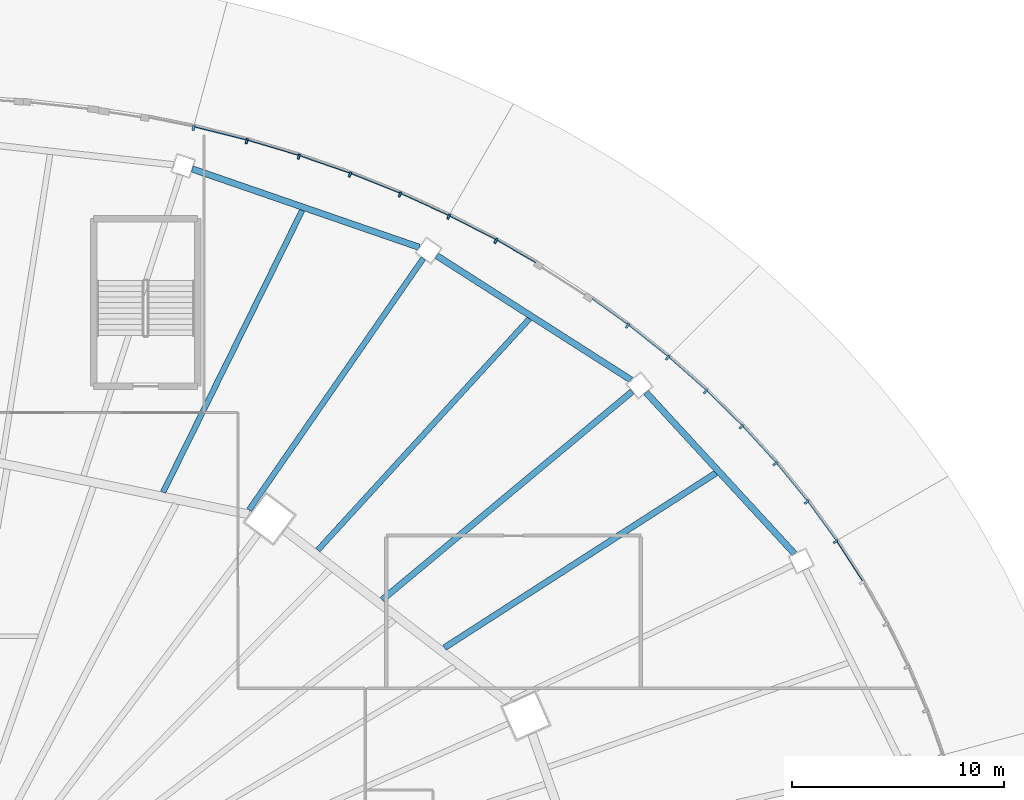
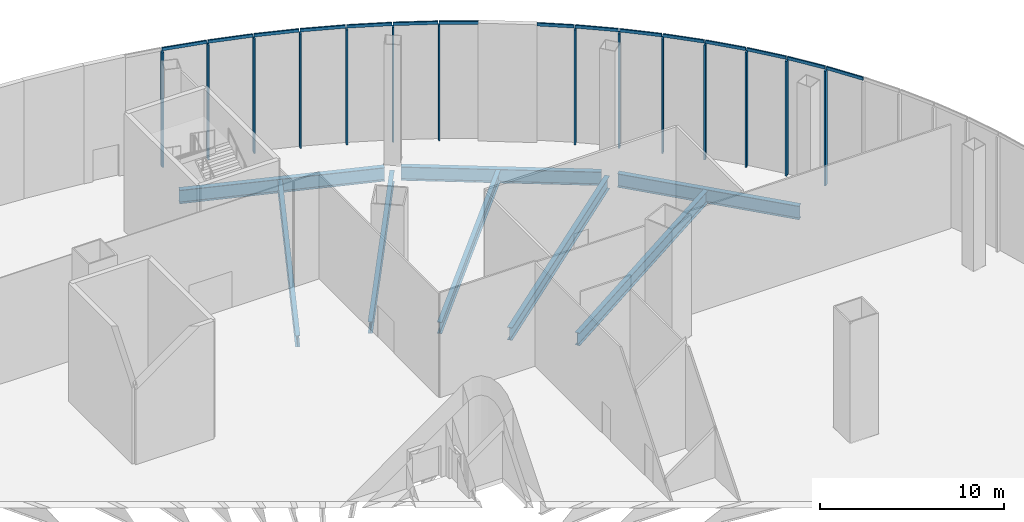
# One storey, part 10 of 36: 29 members, 8 beams, 6 elements without a shape of their own.
"""IFC4 building model written with IfcOpenShell, lengths in metres."""

import ifcopenshell
import ifcopenshell.guid

model = None  # the IFC model being written
_history = None  # IfcOwnerHistory: only IFC2X3 demands one
_inside = {}  # id of a spatial element -> (the spatial element, [elements in it])
_under = {}  # id of a project, library or spatial element -> (it, [spatial elements below it])
_declared = {}  # id of a project -> (the project, [libraries it declares])
_typed = {}  # id of a type object -> (the type object, [elements of that type])
_made_of = {}  # id of a material, layer set ... -> (it, [elements and type objects made of it])


def new_model(schema):
    """Start an empty IFC model of exactly this schema.

    Asked for "IFC4X3", IfcOpenShell would pick the latest addendum, in which some entities
    have other attributes; the version numbers below select the first issue.
    IFC2X3 requires an IfcOwnerHistory on every rooted entity: one is made here for all.
    """
    global model, _history
    if schema == "IFC4X3":
        model = ifcopenshell.file(schema_version=(4, 3, 0, 0))
    else:
        model = ifcopenshell.file(schema=schema)
    _inside.clear()
    _under.clear()
    _declared.clear()
    _typed.clear()
    _made_of.clear()
    _history = None
    if model.schema == "IFC2X3":
        org = make("IfcOrganization", Name="unknown")
        user = make(
            "IfcPersonAndOrganization",
            ThePerson=make("IfcPerson", FamilyName="unknown"),
            TheOrganization=org,
        )
        app = make(
            "IfcApplication",
            ApplicationDeveloper=org,
            Version="unknown",
            ApplicationFullName="unknown",
            ApplicationIdentifier="unknown",
        )
        _history = make(
            "IfcOwnerHistory",
            OwningUser=user,
            OwningApplication=app,
            ChangeAction="ADDED",
            CreationDate=0,
        )
    return model


def make(cls, **values):
    """One entity of the class cls with the attributes given. An attribute that is None is left unset."""
    return model.create_entity(
        cls, **{name: value for name, value in values.items() if value is not None}
    )


def rooted(cls, **values):
    """An entity with a GlobalId (a new one), such as an element, a storey or a relation."""
    return make(cls, GlobalId=ifcopenshell.guid.new(), OwnerHistory=_history, **values)


def si_unit(unit_type, name, prefix=None):
    """IfcSIUnit, for example si_unit("LENGTHUNIT", "METRE", prefix="MILLI")."""
    return make("IfcSIUnit", UnitType=unit_type, Prefix=prefix, Name=name)


def assignment(units):
    """IfcUnitAssignment: the units of a project."""
    return None if units is None else make("IfcUnitAssignment", Units=units)


def point(xyz):
    """IfcCartesianPoint."""
    return None if xyz is None else make("IfcCartesianPoint", Coordinates=xyz)


def direction(xyz):
    """IfcDirection."""
    return None if xyz is None else make("IfcDirection", DirectionRatios=xyz)


def frame(location, z_axis=None, x_axis=None):
    """IfcAxis2Placement3D, a coordinate frame: its origin and axes. An axis left out is left unset."""
    return make(
        "IfcAxis2Placement3D",
        Location=point(location),
        Axis=direction(z_axis),
        RefDirection=direction(x_axis),
    )


def frame_2d(location, x_axis=None):
    """IfcAxis2Placement2D, a coordinate frame in the plane: its origin and x axis."""
    return make(
        "IfcAxis2Placement2D", Location=point(location), RefDirection=direction(x_axis)
    )


def origin():
    """The frame at (0, 0, 0) with its axes left unset."""
    return frame((0.0, 0.0, 0.0))


def origin_2d():
    """The frame at (0, 0) in the plane with its x axis left unset."""
    return frame_2d((0.0, 0.0))


def place(relative_to, where):
    """IfcLocalPlacement: puts the frame where relative to a parent placement (None: the world)."""
    return make(
        "IfcLocalPlacement", PlacementRelTo=relative_to, RelativePlacement=where
    )


def context(
    kind, dimensions, precision=None, world=None, true_north=None, identifier=None
):
    """IfcGeometricRepresentationContext, for example the 3D "Model" context."""
    return make(
        "IfcGeometricRepresentationContext",
        ContextIdentifier=identifier,
        ContextType=kind,
        CoordinateSpaceDimension=dimensions,
        Precision=precision,
        WorldCoordinateSystem=world,
        TrueNorth=true_north,
    )


def subcontext(parent, identifier, kind, view, scale=None):
    """IfcGeometricRepresentationSubContext, for example "Body" below "Model"."""
    return make(
        "IfcGeometricRepresentationSubContext",
        ContextIdentifier=identifier,
        ContextType=kind,
        ParentContext=parent,
        TargetScale=scale,
        TargetView=view,
    )


def project(units=None, contexts=None):
    """IfcProject with its units and contexts."""
    return rooted(
        "IfcProject",
        Name="project",
        RepresentationContexts=contexts,
        UnitsInContext=assignment(units),
    )


def spatial(cls, under=None, at=None, **own):
    """A site, building, storey or space (cls), placed at a placement, below another one or the project."""
    s = rooted(cls, ObjectPlacement=at, **own)
    if under is not None:
        _under.setdefault(under.id(), (under, []))[1].append(s)
    return s


def profile(cls, at=None, kind="AREA", **sizes):
    """A parametric profile (cls). Its sizes go by their IFC names, for example OverallWidth=200.0."""
    return make(cls, ProfileType=kind, Position=at, **sizes)


def rectangle(**sizes):
    """IfcRectangleProfileDef."""
    return profile("IfcRectangleProfileDef", **sizes)


def i_section(**sizes):
    """IfcIShapeProfileDef."""
    return profile("IfcIShapeProfileDef", **sizes)


def extrude(swept, where, along, depth):
    """IfcExtrudedAreaSolid: the profile swept, set in the frame where, extruded along a direction by depth."""
    return make(
        "IfcExtrudedAreaSolid",
        SweptArea=swept,
        Position=where,
        ExtrudedDirection=direction(along),
        Depth=depth,
    )


def shape(context_of_items, identifier, shape_type, items):
    """IfcShapeRepresentation: the items that make up one representation, for example the "Body"."""
    return make(
        "IfcShapeRepresentation",
        ContextOfItems=context_of_items,
        RepresentationIdentifier=identifier,
        RepresentationType=shape_type,
        Items=items,
    )


def material(Name=None, Category=None):
    """IfcMaterial."""
    return make("IfcMaterial", Name=Name, Category=Category)


def layer(
    of_material, thickness, ventilated=None, Name=None, Category=None, Priority=None
):
    """IfcMaterialLayer: one layer of a wall or slab, of a material (None: an air gap)."""
    return make(
        "IfcMaterialLayer",
        Material=of_material,
        LayerThickness=thickness,
        IsVentilated=ventilated,
        Name=Name,
        Category=Category,
        Priority=Priority,
    )


def layer_set(layers, Name=None):
    """IfcMaterialLayerSet."""
    return make("IfcMaterialLayerSet", MaterialLayers=layers, LayerSetName=Name)


def material_profile(
    of_material, cross_section, Name=None, Category=None, Priority=None
):
    """IfcMaterialProfile: a cross section and its material."""
    return make(
        "IfcMaterialProfile",
        Name=Name,
        Material=of_material,
        Profile=cross_section,
        Priority=Priority,
        Category=Category,
    )


def profile_set(profiles, Name=None, composite=None):
    """IfcMaterialProfileSet."""
    return make(
        "IfcMaterialProfileSet",
        Name=Name,
        MaterialProfiles=profiles,
        CompositeProfile=composite,
    )


def made_of(thing, what):
    """Note that an element or type object is made of a material, layer set ...; save() writes the relation."""
    if what is not None:
        _made_of.setdefault(what.id(), (what, []))[1].append(thing)
    return thing


def type_object(cls, material=None, **own):
    """A type object (cls), such as IfcWallType, which elements share."""
    return made_of(rooted(cls, **own), material)


def element(
    cls,
    number,
    at=None,
    inside=None,
    cuts=None,
    type_object=None,
    material=None,
    context=None,
    identifier="Body",
    shape_type=None,
    held_by="IfcProductDefinitionShape",
    body=None,
    shapes=None,
    **own,
):
    """One element of the class cls, such as IfcWall. Its Tag is "e" and its number.

    at: its placement. inside: the storey or other place that contains it. cuts: it is an
    opening in that element (IfcRelVoidsElement). A single representation is given by context,
    identifier, shape_type and body (its items); several are given by shapes. held_by: the class
    of the entity that holds the representations. save() writes the other relations.
    """
    e = rooted(cls, Tag="e%d" % number, ObjectPlacement=at, **own)
    if body is not None:
        shapes = [shape(context, identifier, shape_type, body)]
    if shapes is not None:
        e.Representation = make(held_by, Representations=shapes)
    if inside is not None:
        _inside.setdefault(inside.id(), (inside, []))[1].append(e)
    if cuts is not None:
        rooted(
            "IfcRelVoidsElement", RelatingBuildingElement=cuts, RelatedOpeningElement=e
        )
    if type_object is not None:
        _typed.setdefault(type_object.id(), (type_object, []))[1].append(e)
    return made_of(e, material)


def aggregate(whole, parts):
    """IfcRelAggregates: a whole, such as a stair, and the parts it consists of."""
    return rooted("IfcRelAggregates", RelatingObject=whole, RelatedObjects=parts)


def save(model, path):
    """Write the relations noted so far, then the file.

    IfcRelAggregates (storeys below a building ...), IfcRelContainedInSpatialStructure (elements
    in a storey), IfcRelDefinesByType, IfcRelAssociatesMaterial and IfcRelDeclares: one each for
    every whole, place, type object, material and project.
    """
    for whole, parts in _under.values():
        aggregate(whole, parts)
    for where, things in _inside.values():
        rooted(
            "IfcRelContainedInSpatialStructure",
            RelatedElements=things,
            RelatingStructure=where,
        )
    for kind, things in _typed.values():
        rooted("IfcRelDefinesByType", RelatedObjects=things, RelatingType=kind)
    for what, things in _made_of.values():
        rooted("IfcRelAssociatesMaterial", RelatedObjects=things, RelatingMaterial=what)
    for by, libraries in _declared.values():
        rooted("IfcRelDeclares", RelatingContext=by, RelatedDefinitions=libraries)
    model.write(path)


model = new_model("IFC4")

# Units and contexts
model_context = context("Model", 3, precision=1e-05, world=origin(), true_north=direction((0.0, 1.0)))
body_context = subcontext(model_context, "Body", "Model", "MODEL_VIEW")
ifc_project = project(units=[si_unit("LENGTHUNIT", "METRE"), si_unit("AREAUNIT", "SQUARE_METRE"), si_unit("VOLUMEUNIT", "CUBIC_METRE"), si_unit("PLANEANGLEUNIT", "RADIAN"), si_unit("MASSUNIT", "GRAM", prefix="KILO")], contexts=[model_context])

# Site, building, storey
site_placement = place(None, origin())
site = spatial("IfcSite", under=ifc_project, at=site_placement, CompositionType="ELEMENT")
building_placement = place(site_placement, origin())
building = spatial("IfcBuilding", under=site, at=building_placement, Name="Sahrelin Media Tower", CompositionType="ELEMENT")
storey_placement = place(building_placement, origin())
storey = spatial("IfcBuildingStorey", under=building, at=storey_placement, Name="L00", CompositionType="ELEMENT", Elevation=0.0)

# Curtain wall, members
ifc_material_1 = material(Name="Champagne anodised aluminium 6063-T6", Category="aluminium")
ifc_layer_1 = layer(ifc_material_1, 0.14990234375)
ifc_layer_set_1 = layer_set([ifc_layer_1], Name="Concourse curtain wall")
curtain_wall_type_1 = type_object("IfcCurtainWallType", Name="Concourse curtain wall", PredefinedType="NOTDEFINED", material=ifc_layer_set_1)
curtain_wall_1_placement = place(storey_placement, frame((43.30126953125, 21.0, 0.0), z_axis=(0.0, 0.0, 1.0), x_axis=(1.0, 0.0, 0.0)))
curtain_wall_1 = element("IfcCurtainWall", 1, at=curtain_wall_1_placement, inside=storey, type_object=curtain_wall_type_1, Name="L00:CW:L00-P02", PredefinedType="NOTDEFINED")
ifc_material_profile_1 = material_profile(ifc_material_1, rectangle(XDim=0.10009765625, YDim=0.25, at=origin_2d()), Name="Mullion 100x250")
ifc_profile_set_1 = profile_set([ifc_material_profile_1], Name="Champagne anodised aluminium 6063-T6")
member_type_1 = type_object("IfcMemberType", Name="Mullion 100x250 CW4", PredefinedType="MULLION", material=ifc_profile_set_1)
member_1_placement = place(storey_placement, frame((43.18408203125, 20.91455078125, 0.0), z_axis=(0.0, 0.0, 1.0), x_axis=(-0.589385309161, 0.807852064022, 0.0)))
member_1 = element("IfcMember", 2, at=member_1_placement, type_object=member_type_1, Name="L00:CWM1:L00-P02", PredefinedType="MULLION", context=body_context, shape_type="SweptSolid", body=[
    extrude(rectangle(XDim=0.10009765625, YDim=0.25, at=origin_2d()), origin(), (0.0, 0.0, 1.0), 7.60009765625),
])
member_2_placement = place(storey_placement, frame((41.8212890625, 22.782958984375, 0.0), z_axis=(0.0, 0.0, 1.0), x_axis=(-0.633234995933, 0.77395958546, 0.0)))
member_2 = element("IfcMember", 3, at=member_2_placement, type_object=member_type_1, Name="L00:CWM2:L00-P02", PredefinedType="MULLION", context=body_context, shape_type="SweptSolid", body=[
    extrude(rectangle(XDim=0.10009765625, YDim=0.25, at=origin_2d()), origin(), (0.0, 0.0, 1.0), 7.60009765625),
])
member_3_placement = place(storey_placement, frame((40.34375, 24.589111328125, 0.0), z_axis=(0.0, 0.0, 1.0), x_axis=(-0.67442997344, 0.738338818514, 0.0)))
member_3 = element("IfcMember", 4, at=member_3_placement, type_object=member_type_1, Name="L00:CWM3:L00-P02", PredefinedType="MULLION", context=body_context, shape_type="SweptSolid", body=[
    extrude(rectangle(XDim=0.10009765625, YDim=0.25, at=origin_2d()), origin(), (0.0, 0.0, 1.0), 7.60009765625),
])
member_4_placement = place(storey_placement, frame((38.755615234375, 26.328125, 0.0), z_axis=(0.0, 0.0, 1.0), x_axis=(-0.712973923933, 0.70119054742, 0.0)))
member_4 = element("IfcMember", 5, at=member_4_placement, type_object=member_type_1, Name="L00:CWM4:L00-P02", PredefinedType="MULLION", context=body_context, shape_type="SweptSolid", body=[
    extrude(rectangle(XDim=0.10009765625, YDim=0.25, at=origin_2d()), origin(), (0.0, 0.0, 1.0), 7.60009765625),
])
member_5_placement = place(storey_placement, frame((37.06103515625, 27.994873046875, 0.0), z_axis=(0.0, 0.0, 1.0), x_axis=(-0.748788005735, 0.662809567272, 0.0)))
member_5 = element("IfcMember", 6, at=member_5_placement, type_object=member_type_1, Name="L00:CWM5:L00-P02", PredefinedType="MULLION", context=body_context, shape_type="SweptSolid", body=[
    extrude(rectangle(XDim=0.10009765625, YDim=0.25, at=origin_2d()), origin(), (0.0, 0.0, 1.0), 7.60009765625),
])

curtain_wall_2_placement = place(storey_placement, frame((35.355224609375, 29.698486328125, 0.0), z_axis=(0.0, 0.0, 1.0), x_axis=(1.0, 0.0, 0.0)))
curtain_wall_2 = element("IfcCurtainWall", 7, at=curtain_wall_2_placement, inside=storey, type_object=curtain_wall_type_1, Name="L00:CW:L00-P03", PredefinedType="NOTDEFINED")
member_6_placement = place(storey_placement, frame((35.264892578125, 29.585205078125, 0.0), z_axis=(0.0, 0.0, 1.0), x_axis=(-0.781960183728, 0.623328381405, 0.0)))
member_6 = element("IfcMember", 8, at=member_6_placement, type_object=member_type_1, Name="L00:CWM1:L00-P03", PredefinedType="MULLION", context=body_context, shape_type="SweptSolid", body=[
    extrude(rectangle(XDim=0.10009765625, YDim=0.25, at=origin_2d()), origin(), (0.0, 0.0, 1.0), 7.60009765625),
])
member_7_placement = place(storey_placement, frame((33.3720703125, 31.09423828125, 0.0), z_axis=(0.0, 0.0, 1.0), x_axis=(-0.812532432251, 0.582915985834, 0.0)))
member_7 = element("IfcMember", 9, at=member_7_placement, type_object=member_type_1, Name="L00:CWM2:L00-P03", PredefinedType="MULLION", context=body_context, shape_type="SweptSolid", body=[
    extrude(rectangle(XDim=0.10009765625, YDim=0.25, at=origin_2d()), origin(), (0.0, 0.0, 1.0), 7.60009765625),
])

# Curtain wall, member
curtain_wall_3_placement = place(storey_placement, frame((29.07568359375, 34.159912109375, 0.0), z_axis=(0.0, 0.0, 1.0), x_axis=(1.0, 0.0, 0.0)))
curtain_wall_3 = element("IfcCurtainWall", 10, at=curtain_wall_3_placement, inside=storey, type_object=curtain_wall_type_1, Name="L00:CW2:L00-P03", PredefinedType="NOTDEFINED")
member_8_placement = place(storey_placement, frame((27.16552734375, 35.09521484375, 0.0), z_axis=(0.0, 0.0, 1.0), x_axis=(-0.889123403251, 0.457667536309, 0.0)))
member_8 = element("IfcMember", 11, at=member_8_placement, type_object=member_type_1, Name="L00:CWM5:L00-P03", PredefinedType="MULLION", context=body_context, shape_type="SweptSolid", body=[
    extrude(rectangle(XDim=0.10009765625, YDim=0.25, at=origin_2d()), origin(), (0.0, 0.0, 1.0), 7.60009765625),
])

# Curtain wall, members
curtain_wall_4_placement = place(storey_placement, frame((25.0, 36.373046875, 0.0), z_axis=(0.0, 0.0, 1.0), x_axis=(1.0, 0.0, 0.0)))
curtain_wall_4 = element("IfcCurtainWall", 12, at=curtain_wall_4_placement, inside=storey, type_object=curtain_wall_type_1, Name="L00:CW:L00-P04", PredefinedType="NOTDEFINED")
member_9_placement = place(storey_placement, frame((24.939697265625, 36.2412109375, 0.0), z_axis=(0.0, 0.0, 1.0), x_axis=(-0.909841810065, 0.414955275491, 0.0)))
member_9 = element("IfcMember", 13, at=member_9_placement, type_object=member_type_1, Name="L00:CWM1:L00-P04", PredefinedType="MULLION", context=body_context, shape_type="SweptSolid", body=[
    extrude(rectangle(XDim=0.10009765625, YDim=0.25, at=origin_2d()), origin(), (0.0, 0.0, 1.0), 7.60009765625),
])
member_10_placement = place(storey_placement, frame((22.6455078125, 37.28759765625, 0.0), z_axis=(0.0, 0.0, 1.0), x_axis=(-0.928270482181, 0.371905783648, 0.0)))
member_10 = element("IfcMember", 14, at=member_10_placement, type_object=member_type_1, Name="L00:CWM2:L00-P04", PredefinedType="MULLION", context=body_context, shape_type="SweptSolid", body=[
    extrude(rectangle(XDim=0.10009765625, YDim=0.25, at=origin_2d()), origin(), (0.0, 0.0, 1.0), 7.60009765625),
])
member_11_placement = place(storey_placement, frame((20.2890625, 38.23193359375, 0.0), z_axis=(0.0, 0.0, 1.0), x_axis=(-0.944458420046, 0.328630937077, 0.0)))
member_11 = element("IfcMember", 15, at=member_11_placement, type_object=member_type_1, Name="L00:CWM3:L00-P04", PredefinedType="MULLION", context=body_context, shape_type="SweptSolid", body=[
    extrude(rectangle(XDim=0.10009765625, YDim=0.25, at=origin_2d()), origin(), (0.0, 0.0, 1.0), 7.60009765625),
])
member_12_placement = place(storey_placement, frame((17.877197265625, 39.0712890625, 0.0), z_axis=(0.0, 0.0, 1.0), x_axis=(-0.958494922328, 0.285109599754, 0.0)))
member_12 = element("IfcMember", 16, at=member_12_placement, type_object=member_type_1, Name="L00:CWM4:L00-P04", PredefinedType="MULLION", context=body_context, shape_type="SweptSolid", body=[
    extrude(rectangle(XDim=0.10009765625, YDim=0.25, at=origin_2d()), origin(), (0.0, 0.0, 1.0), 7.60009765625),
])
member_13_placement = place(storey_placement, frame((15.415771484375, 39.8037109375, 0.0), z_axis=(0.0, 0.0, 1.0), x_axis=(-0.970410464409, 0.241461240296, 0.0)))
member_13 = element("IfcMember", 17, at=member_13_placement, type_object=member_type_1, Name="L00:CWM5:L00-P04", PredefinedType="MULLION", context=body_context, shape_type="SweptSolid", body=[
    extrude(rectangle(XDim=0.10009765625, YDim=0.25, at=origin_2d()), origin(), (0.0, 0.0, 1.0), 7.60009765625),
])

# Curtain wall, member
ifc_layer_2 = layer(ifc_material_1, 0.14990234375)
ifc_layer_set_2 = layer_set([ifc_layer_2], Name="Entrance bay curtain wall")
curtain_wall_type_2 = type_object("IfcCurtainWallType", Name="Entrance bay curtain wall", PredefinedType="NOTDEFINED", material=ifc_layer_set_2)
curtain_wall_5_placement = place(storey_placement, frame((12.94091796875, 40.56884765625, 0.0), z_axis=(0.0, 0.0, 1.0), x_axis=(1.0, 0.0, 0.0)))
curtain_wall_5 = element("IfcCurtainWall", 18, at=curtain_wall_5_placement, inside=storey, type_object=curtain_wall_type_2, Name="L00:CW:L00-P05", PredefinedType="NOTDEFINED")
ifc_material_profile_2 = material_profile(ifc_material_1, rectangle(XDim=0.1201171875, YDim=0.25, at=origin_2d()), Name="Mullion 120x250")
ifc_profile_set_2 = profile_set([ifc_material_profile_2], Name="Champagne anodised aluminium 6063-T6")
member_type_2 = type_object("IfcMemberType", Name="Mullion 120x250 CW6", PredefinedType="MULLION", material=ifc_profile_set_2)
member_14_placement = place(storey_placement, frame((12.912353515625, 40.4267578125, 0.0), z_axis=(0.0, 0.0, 1.0), x_axis=(-0.980267034681, 0.197677871087, 0.0)))
member_14 = element("IfcMember", 19, at=member_14_placement, type_object=member_type_2, Name="L00:CWM1:L00-P05", PredefinedType="MULLION", context=body_context, shape_type="SweptSolid", body=[
    extrude(rectangle(XDim=0.1201171875, YDim=0.25, at=origin_2d()), origin(), (0.0, 0.0, 1.0), 7.60009765625),
])
aggregate(curtain_wall_5, [member_14])

# Beams
ifc_material_2 = material(Name="Steel S355", Category="steel")
ifc_material_profile_3 = material_profile(ifc_material_2, i_section(OverallWidth=0.30322265625, OverallDepth=0.903076171875, WebThickness=0.01513671875, FlangeThickness=0.020263671875, FilletRadius=0.01904296875, at=origin_2d()), Name="UB 914x305x201")
ifc_profile_set_3 = profile_set([ifc_material_profile_3], Name="Steel S355")
beam_type_1 = type_object("IfcBeamType", Name="Podium edge girder PE11", PredefinedType="BEAM", material=ifc_profile_set_3)
beam_1_placement = place(storey_placement, frame((41.25048828125, 20.34619140625, -0.75146484375), z_axis=(-0.677370529771, 0.735642008995, 0.0), x_axis=(-0.735642008995, -0.677370529771, 0.0)))
element("IfcBeam", 20, at=beam_1_placement, inside=storey, type_object=beam_type_1, Name="Podium edge girder L00-03", PredefinedType="BEAM", context=body_context, shape_type="SweptSolid", body=[
    extrude(i_section(OverallWidth=0.30322265625, OverallDepth=0.903076171875, WebThickness=0.01513671875, FlangeThickness=0.020263671875, FilletRadius=0.01904296875, at=origin_2d()), origin(), (0.0, 0.0, 1.0), 10.340087890625),
])
beam_2_placement = place(storey_placement, frame((33.54345703125, 28.53857421875, -0.75146484375), z_axis=(-0.842485743715, 0.538718638657, 0.0), x_axis=(-0.538718638657, -0.842485743715, 0.0)))
element("IfcBeam", 21, at=beam_2_placement, inside=storey, type_object=beam_type_1, Name="Podium edge girder L00-04", PredefinedType="BEAM", context=body_context, shape_type="SweptSolid", body=[
    extrude(i_section(OverallWidth=0.30322265625, OverallDepth=0.903076171875, WebThickness=0.01513671875, FlangeThickness=0.020263671875, FilletRadius=0.01904296875, at=origin_2d()), origin(), (0.0, 0.0, 1.0), 10.87744140625),
])
beam_3_placement = place(storey_placement, frame((23.55810546875, 34.79345703125, -0.75146484375), z_axis=(-0.94527240249, 0.32628221694, 0.0), x_axis=(-0.32628221694, -0.94527240249, 0.0)))
element("IfcBeam", 22, at=beam_3_placement, inside=storey, type_object=beam_type_1, Name="Podium edge girder L00-05", PredefinedType="BEAM", context=body_context, shape_type="SweptSolid", body=[
    extrude(i_section(OverallWidth=0.30322265625, OverallDepth=0.903076171875, WebThickness=0.01513671875, FlangeThickness=0.020263671875, FilletRadius=0.01904296875, at=origin_2d()), origin(), (0.0, 0.0, 1.0), 11.329345703125),
])
ifc_material_profile_4 = material_profile(ifc_material_2, i_section(OverallWidth=0.291748046875, OverallDepth=0.8349609375, WebThickness=0.013916015625, FlangeThickness=0.018798828125, FilletRadius=0.017822265625, at=origin_2d()), Name="UB 838x292x176")
ifc_profile_set_4 = profile_set([ifc_material_profile_4], Name="Steel S355")
beam_type_2 = type_object("IfcBeamType", Name="Radial primary beam PB10", PredefinedType="BEAM", material=ifc_profile_set_4)
beam_4_placement = place(storey_placement, frame((21.809326171875, 18.174560546875, -0.71728515625), z_axis=(0.768229105739, 0.640175008178, 0.0), x_axis=(-0.640175008178, 0.768229105739, 0.0)))
element("IfcBeam", 23, at=beam_4_placement, inside=storey, type_object=beam_type_2, Name="Radial beam L00-04", PredefinedType="BEAM", context=body_context, shape_type="SweptSolid", body=[
    extrude(i_section(OverallWidth=0.291748046875, OverallDepth=0.8349609375, WebThickness=0.013916015625, FlangeThickness=0.018798828125, FilletRadius=0.017822265625, at=origin_2d()), origin(), (0.0, 0.0, 1.0), 15.342041015625),
])
ifc_material_profile_5 = material_profile(ifc_material_2, i_section(OverallWidth=0.26513671875, OverallDepth=0.75390625, WebThickness=0.0126953125, FlangeThickness=0.017578125, FilletRadius=0.0166015625, at=origin_2d()), Name="UB 762x267x147")
ifc_profile_set_5 = profile_set([ifc_material_profile_5], Name="Steel S355")
beam_type_3 = type_object("IfcBeamType", Name="Radial primary beam PB9", PredefinedType="BEAM", material=ifc_profile_set_5)
beam_5_placement = place(storey_placement, frame((15.527099609375, 22.411376953125, -0.677001953125), z_axis=(0.569493278726, 0.821995988729, 0.0), x_axis=(-0.821995988729, 0.569493278726, 0.0)))
element("IfcBeam", 24, at=beam_5_placement, inside=storey, type_object=beam_type_3, Name="Radial beam L00-05", PredefinedType="BEAM", context=body_context, shape_type="SweptSolid", body=[
    extrude(i_section(OverallWidth=0.26513671875, OverallDepth=0.75390625, WebThickness=0.0126953125, FlangeThickness=0.017578125, FilletRadius=0.0166015625, at=origin_2d()), origin(), (0.0, 0.0, 1.0), 14.427734375),
])
ifc_material_profile_6 = material_profile(ifc_material_2, i_section(OverallWidth=0.291748046875, OverallDepth=0.8349609375, WebThickness=0.013916015625, FlangeThickness=0.018798828125, FilletRadius=0.017822265625, at=origin_2d()), Name="UB 838x292x176")
ifc_profile_set_6 = profile_set([ifc_material_profile_6], Name="Steel S355")
beam_type_4 = type_object("IfcBeamType", Name="Radial secondary beam SB10", PredefinedType="BEAM", material=ifc_profile_set_6)
beam_6_placement = place(storey_placement, frame((24.744140625, 15.91552734375, -0.71728515625), z_axis=(0.84104292767, 0.540968385228, 0.0), x_axis=(-0.540968385228, 0.84104292767, 0.0)))
element("IfcBeam", 25, at=beam_6_placement, inside=storey, type_object=beam_type_4, Name="Secondary beam L00-03", PredefinedType="BEAM", context=body_context, shape_type="SweptSolid", body=[
    extrude(i_section(OverallWidth=0.291748046875, OverallDepth=0.8349609375, WebThickness=0.013916015625, FlangeThickness=0.018798828125, FilletRadius=0.017822265625, at=origin_2d()), origin(), (0.0, 0.0, 1.0), 15.218505859375),
])
ifc_material_profile_7 = material_profile(ifc_material_2, i_section(OverallWidth=0.26513671875, OverallDepth=0.75390625, WebThickness=0.0126953125, FlangeThickness=0.017578125, FilletRadius=0.0166015625, at=origin_2d()), Name="UB 762x267x147")
ifc_profile_set_7 = profile_set([ifc_material_profile_7], Name="Steel S355")
beam_type_5 = type_object("IfcBeamType", Name="Radial secondary beam SB9", PredefinedType="BEAM", material=ifc_profile_set_7)
beam_7_placement = place(storey_placement, frame((18.7685546875, 20.514892578125, -0.677001953125), z_axis=(0.675004282666, 0.737813810106, 0.0), x_axis=(-0.737813810106, 0.675004282666, 0.0)))
element("IfcBeam", 26, at=beam_7_placement, inside=storey, type_object=beam_type_5, Name="Secondary beam L00-04", PredefinedType="BEAM", context=body_context, shape_type="SweptSolid", body=[
    extrude(i_section(OverallWidth=0.26513671875, OverallDepth=0.75390625, WebThickness=0.0126953125, FlangeThickness=0.017578125, FilletRadius=0.0166015625, at=origin_2d()), origin(), (0.0, 0.0, 1.0), 14.7861328125),
])
beam_8_placement = place(storey_placement, frame((11.47412109375, 23.247314453125, -0.677001953125), z_axis=(0.442602611298, 0.896717864477, 0.0), x_axis=(-0.896717864477, 0.442602611298, 0.0)))
element("IfcBeam", 27, at=beam_8_placement, inside=storey, type_object=beam_type_5, Name="Secondary beam L00-05", PredefinedType="BEAM", context=body_context, shape_type="SweptSolid", body=[
    extrude(i_section(OverallWidth=0.26513671875, OverallDepth=0.75390625, WebThickness=0.0126953125, FlangeThickness=0.017578125, FilletRadius=0.0166015625, at=origin_2d()), origin(), (0.0, 0.0, 1.0), 14.8232421875),
])

# Curtain wall, member
curtain_wall_6_placement = place(storey_placement, frame((48.29638671875, 10.870361328125, 0.0), z_axis=(0.0, 0.0, 1.0), x_axis=(1.0, 0.0, 0.0)))
curtain_wall_6 = element("IfcCurtainWall", 28, at=curtain_wall_6_placement, inside=storey, type_object=curtain_wall_type_1, Name="L00:CW:L00-P01", PredefinedType="NOTDEFINED")
ifc_material_profile_8 = material_profile(ifc_material_1, rectangle(XDim=0.080078125, YDim=0.199951171875, at=origin_2d()), Name="Transom 80x200")
ifc_profile_set_8 = profile_set([ifc_material_profile_8], Name="Champagne anodised aluminium 6063-T6")
member_type_3 = type_object("IfcMemberType", Name="Transom 80x200 CW4", PredefinedType="USERDEFINED", material=ifc_profile_set_8)
member_15_placement = place(storey_placement, frame((44.46728515625, 19.08544921875, 7.699951171875), z_axis=(-0.542826539947, 0.839844835389, 0.0), x_axis=(-0.839844835389, -0.542826539947, 0.0)))
member_15 = element("IfcMember", 29, at=member_15_placement, type_object=member_type_3, Name="L00:CWT5a:L00-P01", ObjectType="TRANSOM", PredefinedType="USERDEFINED", context=body_context, shape_type="SweptSolid", body=[
    extrude(rectangle(XDim=0.080078125, YDim=0.199951171875, at=origin_2d()), origin(), (0.0, 0.0, 1.0), 2.24072265625),
])
aggregate(curtain_wall_6, [member_15])

# Member
member_16_placement = place(storey_placement, frame((43.217529296875, 21.01318359375, 7.699951171875), z_axis=(-0.58944240532, 0.807810405238, 0.0), x_axis=(-0.807810405238, -0.58944240532, 0.0)))
member_16 = element("IfcMember", 30, at=member_16_placement, type_object=member_type_3, Name="L00:CWT1a:L00-P02", ObjectType="TRANSOM", PredefinedType="USERDEFINED", context=body_context, shape_type="SweptSolid", body=[
    extrude(rectangle(XDim=0.080078125, YDim=0.199951171875, at=origin_2d()), origin(), (0.0, 0.0, 1.0), 2.2607421875),
])

member_17_placement = place(storey_placement, frame((41.84912109375, 22.88330078125, 7.699951171875), z_axis=(-0.633296062236, 0.773909618467, 0.0), x_axis=(-0.773909618467, -0.633296062236, 0.0)))
member_17 = element("IfcMember", 31, at=member_17_placement, type_object=member_type_3, Name="L00:CWT2a:L00-P02", ObjectType="TRANSOM", PredefinedType="USERDEFINED", context=body_context, shape_type="SweptSolid", body=[
    extrude(rectangle(XDim=0.080078125, YDim=0.199951171875, at=origin_2d()), origin(), (0.0, 0.0, 1.0), 2.281494140625),
])

member_18_placement = place(storey_placement, frame((40.365966796875, 24.69091796875, 7.699951171875), z_axis=(-0.6744176745, 0.738350052699, 0.0), x_axis=(-0.738350052699, -0.6744176745, 0.0)))
member_18 = element("IfcMember", 32, at=member_18_placement, type_object=member_type_3, Name="L00:CWT3a:L00-P02", ObjectType="TRANSOM", PredefinedType="USERDEFINED", context=body_context, shape_type="SweptSolid", body=[
    extrude(rectangle(XDim=0.080078125, YDim=0.199951171875, at=origin_2d()), origin(), (0.0, 0.0, 1.0), 2.302734375),
])

member_19_placement = place(storey_placement, frame((38.7724609375, 26.430908203125, 7.699951171875), z_axis=(-0.713015803991, 0.701147961032, 0.0), x_axis=(-0.701147961032, -0.713015803991, 0.0)))
member_19 = element("IfcMember", 33, at=member_19_placement, type_object=member_type_3, Name="L00:CWT4a:L00-P02", ObjectType="TRANSOM", PredefinedType="USERDEFINED", context=body_context, shape_type="SweptSolid", body=[
    extrude(rectangle(XDim=0.080078125, YDim=0.199951171875, at=origin_2d()), origin(), (0.0, 0.0, 1.0), 2.32470703125),
])

member_20_placement = place(storey_placement, frame((37.072509765625, 28.098388671875, 7.699951171875), z_axis=(-0.748819786987, 0.66277366168, 0.0), x_axis=(-0.66277366168, -0.748819786987, 0.0)))
member_20 = element("IfcMember", 34, at=member_20_placement, type_object=member_type_3, Name="L00:CWT5a:L00-P02", ObjectType="TRANSOM", PredefinedType="USERDEFINED", context=body_context, shape_type="SweptSolid", body=[
    extrude(rectangle(XDim=0.080078125, YDim=0.199951171875, at=origin_2d()), origin(), (0.0, 0.0, 1.0), 2.346435546875),
])

aggregate(curtain_wall_1, [member_1, member_16, member_2, member_17, member_3, member_18, member_4, member_19, member_5, member_20])

member_21_placement = place(storey_placement, frame((35.27099609375, 29.68896484375, 7.699951171875), z_axis=(-0.781923718797, 0.623374123607, 0.0), x_axis=(-0.623374123607, -0.781923718797, 0.0)))
member_21 = element("IfcMember", 35, at=member_21_placement, type_object=member_type_3, Name="L00:CWT1a:L00-P03", ObjectType="TRANSOM", PredefinedType="USERDEFINED", context=body_context, shape_type="SweptSolid", body=[
    extrude(rectangle(XDim=0.080078125, YDim=0.199951171875, at=origin_2d()), origin(), (0.0, 0.0, 1.0), 2.3681640625),
])

member_22_placement = place(storey_placement, frame((33.372802734375, 31.1982421875, 7.699951171875), z_axis=(-0.812508424534, 0.582949448975, 0.0), x_axis=(-0.582949448975, -0.812508424534, 0.0)))
member_22 = element("IfcMember", 36, at=member_22_placement, type_object=member_type_3, Name="L00:CWT2a:L00-P03", ObjectType="TRANSOM", PredefinedType="USERDEFINED", context=body_context, shape_type="SweptSolid", body=[
    extrude(rectangle(XDim=0.080078125, YDim=0.199951171875, at=origin_2d()), origin(), (0.0, 0.0, 1.0), 2.022705078125),
])

aggregate(curtain_wall_2, [member_6, member_21, member_7, member_22])

member_23_placement = place(storey_placement, frame((29.045654296875, 34.10791015625, 7.699951171875), z_axis=(-0.866082467892, 0.499901149039, 0.0), x_axis=(-0.499901149039, -0.866082467892, 0.0)))
member_23 = element("IfcMember", 37, at=member_23_placement, type_object=member_type_3, Name="L00:CWT4a:L00-P03", ObjectType="TRANSOM", PredefinedType="USERDEFINED", context=body_context, shape_type="SweptSolid", body=[
    extrude(rectangle(XDim=0.080078125, YDim=0.199951171875, at=origin_2d()), origin(), (0.0, 0.0, 1.0), 2.12890625),
])

member_24_placement = place(storey_placement, frame((27.151123046875, 35.1982421875, 7.699951171875), z_axis=(-0.889104806815, 0.457703662316, 0.0), x_axis=(-0.457703662316, -0.889104806815, 0.0)))
member_24 = element("IfcMember", 38, at=member_24_placement, type_object=member_type_3, Name="L00:CWT5a:L00-P03", ObjectType="TRANSOM", PredefinedType="USERDEFINED", context=body_context, shape_type="SweptSolid", body=[
    extrude(rectangle(XDim=0.080078125, YDim=0.199951171875, at=origin_2d()), origin(), (0.0, 0.0, 1.0), 2.450439453125),
])

aggregate(curtain_wall_3, [member_23, member_8, member_24])

member_25_placement = place(storey_placement, frame((24.92041015625, 36.343505859375, 7.699951171875), z_axis=(-0.909857700492, 0.414920431956, 0.0), x_axis=(-0.414920431956, -0.909857700492, 0.0)))
member_25 = element("IfcMember", 39, at=member_25_placement, type_object=member_type_3, Name="L00:CWT1a:L00-P04", ObjectType="TRANSOM", PredefinedType="USERDEFINED", context=body_context, shape_type="SweptSolid", body=[
    extrude(rectangle(XDim=0.080078125, YDim=0.199951171875, at=origin_2d()), origin(), (0.0, 0.0, 1.0), 2.46826171875),
])

member_26_placement = place(storey_placement, frame((22.62158203125, 37.388916015625, 7.699951171875), z_axis=(-0.928273317424, 0.371898706854, 0.0), x_axis=(-0.371898706854, -0.928273317424, 0.0)))
member_26 = element("IfcMember", 40, at=member_26_placement, type_object=member_type_3, Name="L00:CWT2a:L00-P04", ObjectType="TRANSOM", PredefinedType="USERDEFINED", context=body_context, shape_type="SweptSolid", body=[
    extrude(rectangle(XDim=0.080078125, YDim=0.199951171875, at=origin_2d()), origin(), (0.0, 0.0, 1.0), 2.4853515625),
])

member_27_placement = place(storey_placement, frame((20.260498046875, 38.33203125, 7.699951171875), z_axis=(-0.944462547353, 0.328619075294, 0.0), x_axis=(-0.328619075294, -0.944462547353, 0.0)))
member_27 = element("IfcMember", 41, at=member_27_placement, type_object=member_type_3, Name="L00:CWT3a:L00-P04", ObjectType="TRANSOM", PredefinedType="USERDEFINED", context=body_context, shape_type="SweptSolid", body=[
    extrude(rectangle(XDim=0.080078125, YDim=0.199951171875, at=origin_2d()), origin(), (0.0, 0.0, 1.0), 2.500732421875),
])

member_28_placement = place(storey_placement, frame((17.84375, 39.169921875, 7.699951171875), z_axis=(-0.958481146373, 0.285155908316, 0.0), x_axis=(-0.285155908316, -0.958481146373, 0.0)))
member_28 = element("IfcMember", 42, at=member_28_placement, type_object=member_type_3, Name="L00:CWT4a:L00-P04", ObjectType="TRANSOM", PredefinedType="USERDEFINED", context=body_context, shape_type="SweptSolid", body=[
    extrude(rectangle(XDim=0.080078125, YDim=0.199951171875, at=origin_2d()), origin(), (0.0, 0.0, 1.0), 2.5146484375),
])

member_29_placement = place(storey_placement, frame((15.378173828125, 39.900634765625, 7.699951171875), z_axis=(-0.970403417856, 0.241489557979, 0.0), x_axis=(-0.241489557979, -0.970403417856, 0.0)))
member_29 = element("IfcMember", 43, at=member_29_placement, type_object=member_type_3, Name="L00:CWT5a:L00-P04", ObjectType="TRANSOM", PredefinedType="USERDEFINED", context=body_context, shape_type="SweptSolid", body=[
    extrude(rectangle(XDim=0.080078125, YDim=0.199951171875, at=origin_2d()), origin(), (0.0, 0.0, 1.0), 2.5263671875),
])

aggregate(curtain_wall_4, [member_9, member_25, member_10, member_26, member_11, member_27, member_12, member_28, member_13, member_29])

save(model, "model.ifc")
